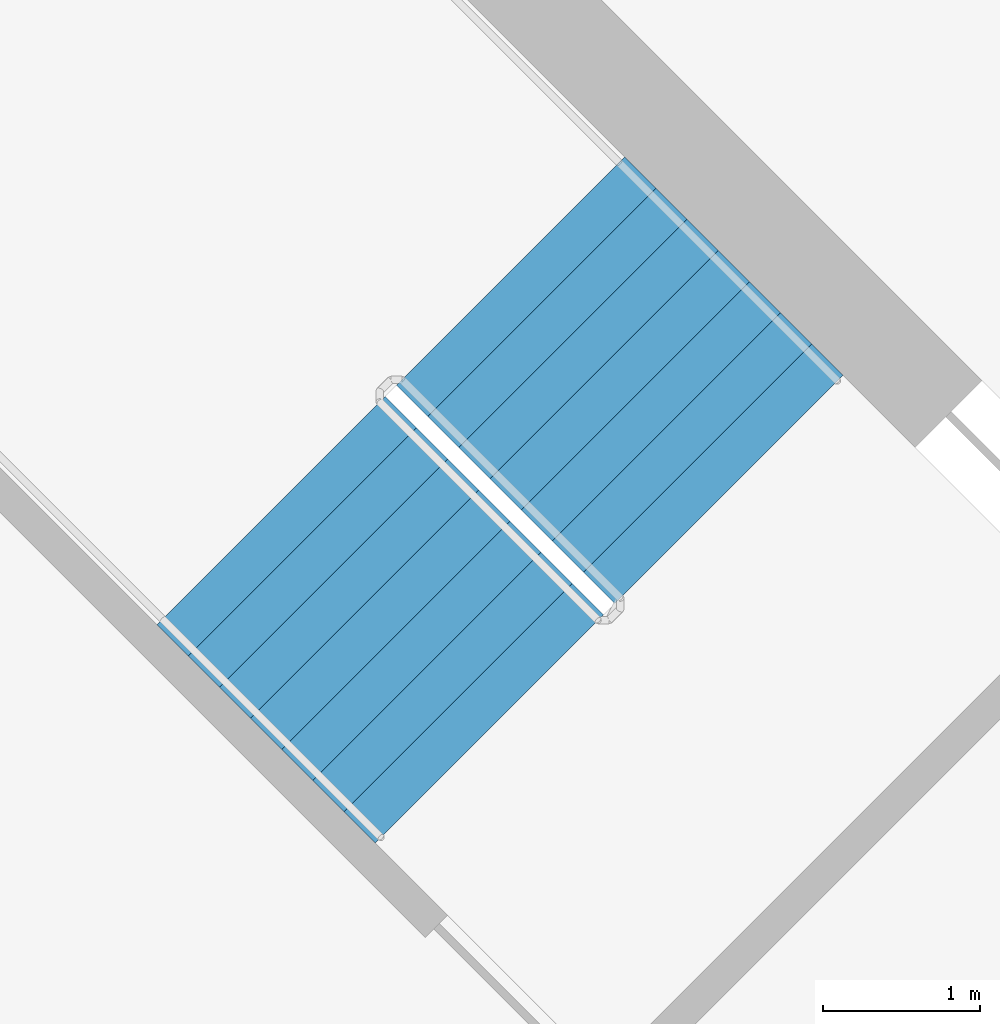
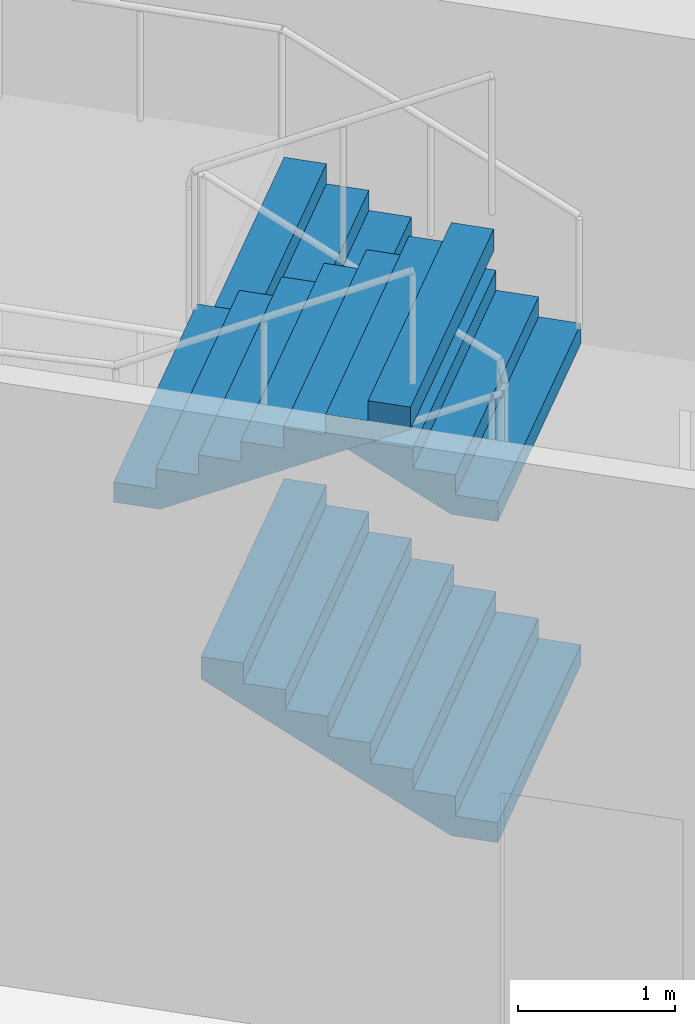
# One storey, part 18 of 21: 3 stair flights, 1 element without a shape of its own.
"""IFC4 building model written with IfcOpenShell, lengths in metres."""

from ifc_helpers import new_model, si_unit, direction, frame, origin, place, context, subcontext, project, spatial, triangles, material, type_object, element, aggregate, save


model = new_model("IFC4")

# Units and contexts
model_context = context("Model", 3, precision=1e-05, world=origin(), true_north=direction((0.0, 1.0)))
body_context = subcontext(model_context, "Body", "Model", "MODEL_VIEW")
ifc_project = project(units=[si_unit("LENGTHUNIT", "METRE"), si_unit("AREAUNIT", "SQUARE_METRE"), si_unit("VOLUMEUNIT", "CUBIC_METRE"), si_unit("PLANEANGLEUNIT", "RADIAN"), si_unit("MASSUNIT", "GRAM", prefix="KILO")], contexts=[model_context])

# Site, building, storey
site_placement = place(None, origin())
site = spatial("IfcSite", under=ifc_project, at=site_placement, CompositionType="ELEMENT")
building_placement = place(site_placement, origin())
building = spatial("IfcBuilding", under=site, at=building_placement, Name="Verdalira Terraces Hotel", CompositionType="ELEMENT")
storey_placement = place(building_placement, frame((0.0, 0.0, 175.0)))
storey = spatial("IfcBuildingStorey", under=building, at=storey_placement, Name="L42", CompositionType="ELEMENT", Elevation=175.0)

# Stair, stair flights
ifc_material_1 = material(Name="Concrete C40", Category="concrete")
stair_type = type_object("IfcStairType", Name="Core stair 32 risers 2050 mm wide", PredefinedType="HALF_TURN_STAIR", material=ifc_material_1)
stair_placement = place(storey_placement, origin())
stair = element("IfcStair", 1, at=stair_placement, inside=storey, type_object=stair_type, Name="L42 Exit stair ST1", PredefinedType="HALF_TURN_STAIR")
ifc_material_2 = material(Name="Concrete C40", Category="concrete")
stair_flight_type = type_object("IfcStairFlightType", Name="Core stair flight 32 risers 2050 mm wide", PredefinedType="STRAIGHT", material=ifc_material_2)
stair_flight_1_placement = place(storey_placement, frame((10.058594, 7.442383, 0.0), z_axis=(0.0, 0.0, 1.0), x_axis=(-0.707106781, 0.707106781, 0.0)))
stair_flight_1 = element("IfcStairFlight", 2, at=stair_flight_1_placement, type_object=stair_flight_type, Name="ST1 flight 1", NumberOfRisers=8, NumberOfTreads=7, PredefinedType="STRAIGHT", RiserHeight=0.15625, TreadLength=0.28, context=body_context, shape_type="Tessellation", body=[
    triangles([(0.0, 1.025024, 0.0), (0.307617, 1.025024, 0.0), (1.959961, 1.025024, 0.922119), (0.0, -1.025024, 0.0), (0.307617, -1.025024, 0.0), (1.959961, -1.025024, 0.922119), (1.959961, 1.025024, 1.09375), (1.679932, 1.025024, 1.09375), (1.959961, -1.025024, 1.09375), (1.679932, -1.025024, 1.09375), (1.679932, 1.025024, 0.9375), (1.679932, -1.025024, 0.9375), (1.399902, 1.025024, 0.9375), (1.399902, -1.025024, 0.9375), (1.399902, 1.025024, 0.78125), (1.399902, -1.025024, 0.78125), (1.120117, 1.025024, 0.78125), (1.120117, 1.025024, 0.625), (1.120117, -1.025024, 0.78125), (1.120117, -1.025024, 0.625), (0.840088, 1.025024, 0.625), (0.840088, 1.025024, 0.46875), (0.840088, -1.025024, 0.625), (0.840088, -1.025024, 0.46875), (0.560059, 1.025024, 0.46875), (0.560059, 1.025024, 0.3125), (0.560059, -1.025024, 0.46875), (0.560059, -1.025024, 0.3125), (0.280029, 1.025024, 0.3125), (0.280029, 1.025024, 0.15625), (0.280029, -1.025024, 0.3125), (0.280029, -1.025024, 0.15625), (0.0, 1.025024, 0.15625), (0.0, -1.025024, 0.15625), (0.0, -0.96096, 0.0), (0.0, -0.96096, 0.15625), (0.0, -0.896896, 0.0), (0.0, -0.896896, 0.15625), (0.0, -0.832832, 0.0), (0.0, -0.832832, 0.15625), (0.0, -0.768768, 0.0), (0.0, -0.768768, 0.15625), (0.0, -0.704704, 0.0), (0.0, -0.704704, 0.15625), (0.0, -0.64064, 0.0), (0.0, -0.64064, 0.15625), (0.0, -0.576576, 0.0), (0.0, -0.576576, 0.15625), (0.0, -0.512512, 0.0), (0.0, -0.512512, 0.15625), (0.0, -0.448448, 0.0), (0.0, -0.448448, 0.15625), (0.0, -0.384384, 0.0), (0.0, -0.384384, 0.15625), (0.0, -0.32032, 0.0), (0.0, -0.32032, 0.15625), (0.0, -0.256256, 0.0), (0.0, -0.256256, 0.15625), (0.0, -0.192192, 0.0), (0.0, -0.192192, 0.15625), (0.0, -0.128128, 0.0), (0.0, -0.128128, 0.15625), (0.0, -0.064064, 0.0), (0.0, -0.064064, 0.15625), (0.0, 0.0, 0.0), (0.0, 0.0, 0.15625), (0.0, 0.064064, 0.0), (0.0, 0.064064, 0.15625), (0.0, 0.128128, 0.0), (0.0, 0.128128, 0.15625), (0.0, 0.192192, 0.0), (0.0, 0.192192, 0.15625), (0.0, 0.256256, 0.0), (0.0, 0.256256, 0.15625), (0.0, 0.32032, 0.0), (0.0, 0.32032, 0.15625), (0.0, 0.384384, 0.0), (0.0, 0.384384, 0.15625), (0.0, 0.448448, 0.0), (0.0, 0.448448, 0.15625), (0.0, 0.512512, 0.0), (0.0, 0.512512, 0.15625), (0.0, 0.576576, 0.0), (0.0, 0.576576, 0.15625), (0.0, 0.64064, 0.0), (0.0, 0.64064, 0.15625), (0.0, 0.704704, 0.0), (0.0, 0.704704, 0.15625), (0.0, 0.768768, 0.0), (0.0, 0.768768, 0.15625), (0.0, 0.832832, 0.0), (0.0, 0.832832, 0.15625), (0.0, 0.896896, 0.0), (0.0, 0.896896, 0.15625), (0.0, 0.96096, 0.0), (0.0, 0.96096, 0.15625), (1.959961, -0.96096, 1.09375), (1.959961, -0.896896, 1.09375), (1.959961, -0.832832, 1.09375), (1.959961, -0.768768, 1.09375), (1.959961, -0.704704, 1.09375), (1.959961, -0.64064, 1.09375), (1.959961, -0.576576, 1.09375), (1.959961, -0.512512, 1.09375), (1.959961, -0.448448, 1.09375), (1.959961, -0.384384, 1.09375), (1.959961, -0.32032, 1.09375), (1.959961, -0.256256, 1.09375), (1.959961, -0.192192, 1.09375), (1.959961, -0.128128, 1.09375), (1.959961, -0.064064, 1.09375), (1.959961, 0.0, 1.09375), (1.959961, 0.064064, 1.09375), (1.959961, 0.128128, 1.09375), (1.959961, 0.192192, 1.09375), (1.959961, 0.256256, 1.09375), (1.959961, 0.32032, 1.09375), (1.959961, 0.384384, 1.09375), (1.959961, 0.448448, 1.09375), (1.959961, 0.512512, 1.09375), (1.959961, 0.576576, 1.09375), (1.959961, 0.64064, 1.09375), (1.959961, 0.704704, 1.09375), (1.959961, 0.768768, 1.09375), (1.959961, 0.832832, 1.09375), (1.959961, 0.896896, 1.09375), (1.959961, 0.96096, 1.09375), (1.959961, -0.96096, 0.922119), (1.959961, -0.896896, 0.922119), (1.959961, -0.832832, 0.922119), (1.959961, -0.768768, 0.922119), (1.959961, -0.704704, 0.922119), (1.959961, -0.64064, 0.922119), (1.959961, -0.576576, 0.922119), (1.959961, -0.512512, 0.922119), (1.959961, -0.448448, 0.922119), (1.959961, -0.384384, 0.922119), (1.959961, -0.32032, 0.922119), (1.959961, -0.256256, 0.922119), (1.959961, -0.192192, 0.922119), (1.959961, -0.128128, 0.922119), (1.959961, -0.064064, 0.922119), (1.959961, 0.0, 0.922119), (1.959961, 0.064064, 0.922119), (1.959961, 0.128128, 0.922119), (1.959961, 0.192192, 0.922119), (1.959961, 0.256256, 0.922119), (1.959961, 0.32032, 0.922119), (1.959961, 0.384384, 0.922119), (1.959961, 0.448448, 0.922119), (1.959961, 0.512512, 0.922119), (1.959961, 0.576576, 0.922119), (1.959961, 0.64064, 0.922119), (1.959961, 0.704704, 0.922119), (1.959961, 0.768768, 0.922119), (1.959961, 0.832832, 0.922119), (1.959961, 0.896896, 0.922119), (1.959961, 0.96096, 0.922119)], [[1, 3, 2], [4, 5, 6], [3, 8, 7], [6, 9, 10], [3, 11, 8], [6, 10, 12], [3, 13, 11], [6, 12, 14], [3, 15, 13], [6, 14, 16], [15, 18, 17], [16, 19, 20], [3, 18, 15], [6, 16, 20], [18, 22, 21], [20, 23, 24], [3, 22, 18], [6, 20, 24], [22, 26, 25], [24, 27, 28], [3, 26, 22], [6, 24, 28], [26, 30, 29], [28, 31, 32], [3, 30, 26], [6, 28, 32], [1, 30, 3], [4, 6, 32], [30, 1, 33], [32, 34, 4], [4, 36, 35], [4, 34, 36], [35, 38, 37], [35, 36, 38], [37, 40, 39], [37, 38, 40], [39, 42, 41], [39, 40, 42], [41, 44, 43], [41, 42, 44], [43, 46, 45], [43, 44, 46], [45, 48, 47], [45, 46, 48], [47, 50, 49], [47, 48, 50], [49, 52, 51], [49, 50, 52], [51, 54, 53], [51, 52, 54], [53, 56, 55], [53, 54, 56], [55, 58, 57], [55, 56, 58], [57, 60, 59], [57, 58, 60], [59, 62, 61], [59, 60, 62], [61, 64, 63], [61, 62, 64], [63, 66, 65], [63, 64, 66], [65, 68, 67], [65, 66, 68], [67, 70, 69], [67, 68, 70], [69, 72, 71], [69, 70, 72], [71, 74, 73], [71, 72, 74], [73, 76, 75], [73, 74, 76], [75, 78, 77], [75, 76, 78], [77, 80, 79], [77, 78, 80], [79, 82, 81], [79, 80, 82], [81, 84, 83], [81, 82, 84], [83, 86, 85], [83, 84, 86], [85, 88, 87], [85, 86, 88], [87, 90, 89], [87, 88, 90], [89, 92, 91], [89, 90, 92], [91, 94, 93], [91, 92, 94], [93, 96, 95], [93, 94, 96], [95, 33, 1], [95, 96, 33], [34, 32, 36], [36, 32, 38], [38, 32, 40], [40, 32, 42], [42, 32, 44], [44, 32, 46], [46, 32, 48], [48, 32, 50], [50, 32, 52], [52, 32, 54], [54, 32, 56], [56, 32, 58], [58, 32, 60], [60, 32, 62], [62, 32, 64], [64, 32, 66], [66, 32, 68], [68, 32, 70], [70, 32, 72], [72, 32, 74], [74, 32, 76], [76, 32, 78], [78, 32, 80], [80, 32, 82], [82, 32, 84], [84, 32, 86], [86, 32, 88], [88, 32, 90], [90, 32, 92], [92, 32, 94], [94, 32, 96], [96, 32, 33], [33, 32, 30], [32, 29, 30], [32, 31, 29], [31, 26, 29], [31, 28, 26], [28, 25, 26], [28, 27, 25], [27, 22, 25], [27, 24, 22], [24, 21, 22], [24, 23, 21], [23, 18, 21], [23, 20, 18], [20, 17, 18], [20, 19, 17], [19, 15, 17], [19, 16, 15], [16, 13, 15], [16, 14, 13], [14, 11, 13], [14, 12, 11], [12, 8, 11], [12, 10, 8], [9, 97, 10], [97, 98, 10], [98, 99, 10], [99, 100, 10], [100, 101, 10], [101, 102, 10], [102, 103, 10], [103, 104, 10], [104, 105, 10], [105, 106, 10], [106, 107, 10], [107, 108, 10], [108, 109, 10], [109, 110, 10], [110, 111, 10], [111, 112, 10], [112, 113, 10], [113, 114, 10], [114, 115, 10], [115, 116, 10], [116, 117, 10], [117, 118, 10], [118, 119, 10], [119, 120, 10], [120, 121, 10], [121, 122, 10], [122, 123, 10], [123, 124, 10], [124, 125, 10], [125, 126, 10], [126, 127, 10], [127, 7, 10], [7, 8, 10], [9, 128, 97], [9, 6, 128], [97, 129, 98], [97, 128, 129], [98, 130, 99], [98, 129, 130], [99, 131, 100], [99, 130, 131], [100, 132, 101], [100, 131, 132], [101, 133, 102], [101, 132, 133], [102, 134, 103], [102, 133, 134], [103, 135, 104], [103, 134, 135], [104, 136, 105], [104, 135, 136], [105, 137, 106], [105, 136, 137], [106, 138, 107], [106, 137, 138], [107, 139, 108], [107, 138, 139], [108, 140, 109], [108, 139, 140], [109, 141, 110], [109, 140, 141], [110, 142, 111], [110, 141, 142], [111, 143, 112], [111, 142, 143], [112, 144, 113], [112, 143, 144], [113, 145, 114], [113, 144, 145], [114, 146, 115], [114, 145, 146], [115, 147, 116], [115, 146, 147], [116, 148, 117], [116, 147, 148], [117, 149, 118], [117, 148, 149], [118, 150, 119], [118, 149, 150], [119, 151, 120], [119, 150, 151], [120, 152, 121], [120, 151, 152], [121, 153, 122], [121, 152, 153], [122, 154, 123], [122, 153, 154], [123, 155, 124], [123, 154, 155], [124, 156, 125], [124, 155, 156], [125, 157, 126], [125, 156, 157], [126, 158, 127], [126, 157, 158], [127, 3, 7], [127, 158, 3], [6, 5, 128], [128, 5, 129], [129, 5, 130], [130, 5, 131], [131, 5, 132], [132, 5, 133], [133, 5, 134], [134, 5, 135], [135, 5, 136], [136, 5, 137], [137, 5, 138], [138, 5, 139], [139, 5, 140], [140, 5, 141], [141, 5, 142], [142, 5, 143], [143, 5, 144], [144, 5, 145], [145, 5, 146], [146, 5, 147], [147, 5, 148], [148, 5, 149], [149, 5, 150], [150, 5, 151], [151, 5, 152], [152, 5, 153], [153, 5, 154], [154, 5, 155], [155, 5, 156], [156, 5, 157], [157, 5, 158], [158, 5, 3], [3, 5, 2], [4, 35, 5], [35, 37, 5], [37, 39, 5], [39, 41, 5], [41, 43, 5], [43, 45, 5], [45, 47, 5], [47, 49, 5], [49, 51, 5], [51, 53, 5], [53, 55, 5], [55, 57, 5], [57, 59, 5], [59, 61, 5], [61, 63, 5], [63, 65, 5], [65, 67, 5], [67, 69, 5], [69, 71, 5], [71, 73, 5], [73, 75, 5], [75, 77, 5], [77, 79, 5], [79, 81, 5], [81, 83, 5], [83, 85, 5], [85, 87, 5], [87, 89, 5], [89, 91, 5], [91, 93, 5], [93, 95, 5], [95, 1, 5], [1, 2, 5]], closed=True),
])
stair_flight_2_placement = place(storey_placement, frame((10.058594, 7.442383, 2.5), z_axis=(0.0, 0.0, 1.0), x_axis=(-0.707106781, 0.707106781, 0.0)))
stair_flight_2 = element("IfcStairFlight", 3, at=stair_flight_2_placement, type_object=stair_flight_type, Name="ST1 flight 3", NumberOfRisers=8, NumberOfTreads=7, PredefinedType="STRAIGHT", RiserHeight=0.15625, TreadLength=0.28, context=body_context, shape_type="Tessellation", body=[
    triangles([(0.0, 1.025024, 0.0), (0.307617, 1.025024, 0.0), (1.959961, 1.025024, 0.922119), (0.0, -1.025024, 0.0), (0.307617, -1.025024, 0.0), (1.959961, -1.025024, 0.922119), (1.959961, 1.025024, 1.09375), (1.679932, 1.025024, 1.09375), (1.959961, -1.025024, 1.09375), (1.679932, -1.025024, 1.09375), (1.679932, 1.025024, 0.9375), (1.679932, -1.025024, 0.9375), (1.399902, 1.025024, 0.9375), (1.399902, -1.025024, 0.9375), (1.399902, 1.025024, 0.78125), (1.399902, -1.025024, 0.78125), (1.120117, 1.025024, 0.78125), (1.120117, 1.025024, 0.625), (1.120117, -1.025024, 0.78125), (1.120117, -1.025024, 0.625), (0.840088, 1.025024, 0.625), (0.840088, 1.025024, 0.46875), (0.840088, -1.025024, 0.625), (0.840088, -1.025024, 0.46875), (0.560059, 1.025024, 0.46875), (0.560059, 1.025024, 0.3125), (0.560059, -1.025024, 0.46875), (0.560059, -1.025024, 0.3125), (0.280029, 1.025024, 0.3125), (0.280029, 1.025024, 0.15625), (0.280029, -1.025024, 0.3125), (0.280029, -1.025024, 0.15625), (0.0, 1.025024, 0.15625), (0.0, -1.025024, 0.15625), (0.0, -0.96096, 0.0), (0.0, -0.96096, 0.15625), (0.0, -0.896896, 0.0), (0.0, -0.896896, 0.15625), (0.0, -0.832832, 0.0), (0.0, -0.832832, 0.15625), (0.0, -0.768768, 0.0), (0.0, -0.768768, 0.15625), (0.0, -0.704704, 0.0), (0.0, -0.704704, 0.15625), (0.0, -0.64064, 0.0), (0.0, -0.64064, 0.15625), (0.0, -0.576576, 0.0), (0.0, -0.576576, 0.15625), (0.0, -0.512512, 0.0), (0.0, -0.512512, 0.15625), (0.0, -0.448448, 0.0), (0.0, -0.448448, 0.15625), (0.0, -0.384384, 0.0), (0.0, -0.384384, 0.15625), (0.0, -0.32032, 0.0), (0.0, -0.32032, 0.15625), (0.0, -0.256256, 0.0), (0.0, -0.256256, 0.15625), (0.0, -0.192192, 0.0), (0.0, -0.192192, 0.15625), (0.0, -0.128128, 0.0), (0.0, -0.128128, 0.15625), (0.0, -0.064064, 0.0), (0.0, -0.064064, 0.15625), (0.0, 0.0, 0.0), (0.0, 0.0, 0.15625), (0.0, 0.064064, 0.0), (0.0, 0.064064, 0.15625), (0.0, 0.128128, 0.0), (0.0, 0.128128, 0.15625), (0.0, 0.192192, 0.0), (0.0, 0.192192, 0.15625), (0.0, 0.256256, 0.0), (0.0, 0.256256, 0.15625), (0.0, 0.32032, 0.0), (0.0, 0.32032, 0.15625), (0.0, 0.384384, 0.0), (0.0, 0.384384, 0.15625), (0.0, 0.448448, 0.0), (0.0, 0.448448, 0.15625), (0.0, 0.512512, 0.0), (0.0, 0.512512, 0.15625), (0.0, 0.576576, 0.0), (0.0, 0.576576, 0.15625), (0.0, 0.64064, 0.0), (0.0, 0.64064, 0.15625), (0.0, 0.704704, 0.0), (0.0, 0.704704, 0.15625), (0.0, 0.768768, 0.0), (0.0, 0.768768, 0.15625), (0.0, 0.832832, 0.0), (0.0, 0.832832, 0.15625), (0.0, 0.896896, 0.0), (0.0, 0.896896, 0.15625), (0.0, 0.96096, 0.0), (0.0, 0.96096, 0.15625), (1.959961, -0.96096, 1.09375), (1.959961, -0.896896, 1.09375), (1.959961, -0.832832, 1.09375), (1.959961, -0.768768, 1.09375), (1.959961, -0.704704, 1.09375), (1.959961, -0.64064, 1.09375), (1.959961, -0.576576, 1.09375), (1.959961, -0.512512, 1.09375), (1.959961, -0.448448, 1.09375), (1.959961, -0.384384, 1.09375), (1.959961, -0.32032, 1.09375), (1.959961, -0.256256, 1.09375), (1.959961, -0.192192, 1.09375), (1.959961, -0.128128, 1.09375), (1.959961, -0.064064, 1.09375), (1.959961, 0.0, 1.09375), (1.959961, 0.064064, 1.09375), (1.959961, 0.128128, 1.09375), (1.959961, 0.192192, 1.09375), (1.959961, 0.256256, 1.09375), (1.959961, 0.32032, 1.09375), (1.959961, 0.384384, 1.09375), (1.959961, 0.448448, 1.09375), (1.959961, 0.512512, 1.09375), (1.959961, 0.576576, 1.09375), (1.959961, 0.64064, 1.09375), (1.959961, 0.704704, 1.09375), (1.959961, 0.768768, 1.09375), (1.959961, 0.832832, 1.09375), (1.959961, 0.896896, 1.09375), (1.959961, 0.96096, 1.09375), (1.959961, -0.96096, 0.922119), (1.959961, -0.896896, 0.922119), (1.959961, -0.832832, 0.922119), (1.959961, -0.768768, 0.922119), (1.959961, -0.704704, 0.922119), (1.959961, -0.64064, 0.922119), (1.959961, -0.576576, 0.922119), (1.959961, -0.512512, 0.922119), (1.959961, -0.448448, 0.922119), (1.959961, -0.384384, 0.922119), (1.959961, -0.32032, 0.922119), (1.959961, -0.256256, 0.922119), (1.959961, -0.192192, 0.922119), (1.959961, -0.128128, 0.922119), (1.959961, -0.064064, 0.922119), (1.959961, 0.0, 0.922119), (1.959961, 0.064064, 0.922119), (1.959961, 0.128128, 0.922119), (1.959961, 0.192192, 0.922119), (1.959961, 0.256256, 0.922119), (1.959961, 0.32032, 0.922119), (1.959961, 0.384384, 0.922119), (1.959961, 0.448448, 0.922119), (1.959961, 0.512512, 0.922119), (1.959961, 0.576576, 0.922119), (1.959961, 0.64064, 0.922119), (1.959961, 0.704704, 0.922119), (1.959961, 0.768768, 0.922119), (1.959961, 0.832832, 0.922119), (1.959961, 0.896896, 0.922119), (1.959961, 0.96096, 0.922119)], [[1, 3, 2], [4, 5, 6], [3, 8, 7], [6, 9, 10], [3, 11, 8], [6, 10, 12], [3, 13, 11], [6, 12, 14], [3, 15, 13], [6, 14, 16], [15, 18, 17], [16, 19, 20], [3, 18, 15], [6, 16, 20], [18, 22, 21], [20, 23, 24], [3, 22, 18], [6, 20, 24], [22, 26, 25], [24, 27, 28], [3, 26, 22], [6, 24, 28], [26, 30, 29], [28, 31, 32], [3, 30, 26], [6, 28, 32], [1, 30, 3], [4, 6, 32], [30, 1, 33], [32, 34, 4], [4, 36, 35], [4, 34, 36], [35, 38, 37], [35, 36, 38], [37, 40, 39], [37, 38, 40], [39, 42, 41], [39, 40, 42], [41, 44, 43], [41, 42, 44], [43, 46, 45], [43, 44, 46], [45, 48, 47], [45, 46, 48], [47, 50, 49], [47, 48, 50], [49, 52, 51], [49, 50, 52], [51, 54, 53], [51, 52, 54], [53, 56, 55], [53, 54, 56], [55, 58, 57], [55, 56, 58], [57, 60, 59], [57, 58, 60], [59, 62, 61], [59, 60, 62], [61, 64, 63], [61, 62, 64], [63, 66, 65], [63, 64, 66], [65, 68, 67], [65, 66, 68], [67, 70, 69], [67, 68, 70], [69, 72, 71], [69, 70, 72], [71, 74, 73], [71, 72, 74], [73, 76, 75], [73, 74, 76], [75, 78, 77], [75, 76, 78], [77, 80, 79], [77, 78, 80], [79, 82, 81], [79, 80, 82], [81, 84, 83], [81, 82, 84], [83, 86, 85], [83, 84, 86], [85, 88, 87], [85, 86, 88], [87, 90, 89], [87, 88, 90], [89, 92, 91], [89, 90, 92], [91, 94, 93], [91, 92, 94], [93, 96, 95], [93, 94, 96], [95, 33, 1], [95, 96, 33], [34, 32, 36], [36, 32, 38], [38, 32, 40], [40, 32, 42], [42, 32, 44], [44, 32, 46], [46, 32, 48], [48, 32, 50], [50, 32, 52], [52, 32, 54], [54, 32, 56], [56, 32, 58], [58, 32, 60], [60, 32, 62], [62, 32, 64], [64, 32, 66], [66, 32, 68], [68, 32, 70], [70, 32, 72], [72, 32, 74], [74, 32, 76], [76, 32, 78], [78, 32, 80], [80, 32, 82], [82, 32, 84], [84, 32, 86], [86, 32, 88], [88, 32, 90], [90, 32, 92], [92, 32, 94], [94, 32, 96], [96, 32, 33], [33, 32, 30], [32, 29, 30], [32, 31, 29], [31, 26, 29], [31, 28, 26], [28, 25, 26], [28, 27, 25], [27, 22, 25], [27, 24, 22], [24, 21, 22], [24, 23, 21], [23, 18, 21], [23, 20, 18], [20, 17, 18], [20, 19, 17], [19, 15, 17], [19, 16, 15], [16, 13, 15], [16, 14, 13], [14, 11, 13], [14, 12, 11], [12, 8, 11], [12, 10, 8], [9, 97, 10], [97, 98, 10], [98, 99, 10], [99, 100, 10], [100, 101, 10], [101, 102, 10], [102, 103, 10], [103, 104, 10], [104, 105, 10], [105, 106, 10], [106, 107, 10], [107, 108, 10], [108, 109, 10], [109, 110, 10], [110, 111, 10], [111, 112, 10], [112, 113, 10], [113, 114, 10], [114, 115, 10], [115, 116, 10], [116, 117, 10], [117, 118, 10], [118, 119, 10], [119, 120, 10], [120, 121, 10], [121, 122, 10], [122, 123, 10], [123, 124, 10], [124, 125, 10], [125, 126, 10], [126, 127, 10], [127, 7, 10], [7, 8, 10], [9, 128, 97], [9, 6, 128], [97, 129, 98], [97, 128, 129], [98, 130, 99], [98, 129, 130], [99, 131, 100], [99, 130, 131], [100, 132, 101], [100, 131, 132], [101, 133, 102], [101, 132, 133], [102, 134, 103], [102, 133, 134], [103, 135, 104], [103, 134, 135], [104, 136, 105], [104, 135, 136], [105, 137, 106], [105, 136, 137], [106, 138, 107], [106, 137, 138], [107, 139, 108], [107, 138, 139], [108, 140, 109], [108, 139, 140], [109, 141, 110], [109, 140, 141], [110, 142, 111], [110, 141, 142], [111, 143, 112], [111, 142, 143], [112, 144, 113], [112, 143, 144], [113, 145, 114], [113, 144, 145], [114, 146, 115], [114, 145, 146], [115, 147, 116], [115, 146, 147], [116, 148, 117], [116, 147, 148], [117, 149, 118], [117, 148, 149], [118, 150, 119], [118, 149, 150], [119, 151, 120], [119, 150, 151], [120, 152, 121], [120, 151, 152], [121, 153, 122], [121, 152, 153], [122, 154, 123], [122, 153, 154], [123, 155, 124], [123, 154, 155], [124, 156, 125], [124, 155, 156], [125, 157, 126], [125, 156, 157], [126, 158, 127], [126, 157, 158], [127, 3, 7], [127, 158, 3], [6, 5, 128], [128, 5, 129], [129, 5, 130], [130, 5, 131], [131, 5, 132], [132, 5, 133], [133, 5, 134], [134, 5, 135], [135, 5, 136], [136, 5, 137], [137, 5, 138], [138, 5, 139], [139, 5, 140], [140, 5, 141], [141, 5, 142], [142, 5, 143], [143, 5, 144], [144, 5, 145], [145, 5, 146], [146, 5, 147], [147, 5, 148], [148, 5, 149], [149, 5, 150], [150, 5, 151], [151, 5, 152], [152, 5, 153], [153, 5, 154], [154, 5, 155], [155, 5, 156], [156, 5, 157], [157, 5, 158], [158, 5, 3], [3, 5, 2], [4, 35, 5], [35, 37, 5], [37, 39, 5], [39, 41, 5], [41, 43, 5], [43, 45, 5], [45, 47, 5], [47, 49, 5], [49, 51, 5], [51, 53, 5], [53, 55, 5], [55, 57, 5], [57, 59, 5], [59, 61, 5], [61, 63, 5], [63, 65, 5], [65, 67, 5], [67, 69, 5], [69, 71, 5], [71, 73, 5], [73, 75, 5], [75, 77, 5], [77, 79, 5], [79, 81, 5], [81, 83, 5], [83, 85, 5], [85, 87, 5], [87, 89, 5], [89, 91, 5], [91, 93, 5], [93, 95, 5], [95, 1, 5], [1, 2, 5]], closed=True),
])
stair_flight_3_placement = place(storey_placement, frame((7.152344, 7.307861, 3.75), z_axis=(0.0, 0.0, 1.0), x_axis=(0.707106781, -0.707106781, 0.0)))
stair_flight_3 = element("IfcStairFlight", 4, at=stair_flight_3_placement, type_object=stair_flight_type, Name="ST1 flight 4", NumberOfRisers=8, NumberOfTreads=7, PredefinedType="STRAIGHT", RiserHeight=0.15625, TreadLength=0.28, context=body_context, shape_type="Tessellation", body=[
    triangles([(0.0, 1.025024, 0.0), (0.307617, 1.025024, 0.0), (1.959961, 1.025024, 0.922119), (0.0, -1.025024, 0.0), (0.307617, -1.025024, 0.0), (1.959961, -1.025024, 0.922119), (1.959961, 1.025024, 1.09375), (1.679932, 1.025024, 1.09375), (1.959961, -1.025024, 1.09375), (1.679932, -1.025024, 1.09375), (1.679932, 1.025024, 0.9375), (1.679932, -1.025024, 0.9375), (1.399902, 1.025024, 0.9375), (1.399902, -1.025024, 0.9375), (1.399902, 1.025024, 0.78125), (1.399902, -1.025024, 0.78125), (1.120117, 1.025024, 0.78125), (1.120117, 1.025024, 0.625), (1.120117, -1.025024, 0.78125), (1.120117, -1.025024, 0.625), (0.840088, 1.025024, 0.625), (0.840088, 1.025024, 0.46875), (0.840088, -1.025024, 0.625), (0.840088, -1.025024, 0.46875), (0.560059, 1.025024, 0.46875), (0.560059, 1.025024, 0.3125), (0.560059, -1.025024, 0.46875), (0.560059, -1.025024, 0.3125), (0.280029, 1.025024, 0.3125), (0.280029, 1.025024, 0.15625), (0.280029, -1.025024, 0.3125), (0.280029, -1.025024, 0.15625), (0.0, 1.025024, 0.15625), (0.0, -1.025024, 0.15625), (0.0, -0.96096, 0.0), (0.0, -0.96096, 0.15625), (0.0, -0.896896, 0.0), (0.0, -0.896896, 0.15625), (0.0, -0.832832, 0.0), (0.0, -0.832832, 0.15625), (0.0, -0.768768, 0.0), (0.0, -0.768768, 0.15625), (0.0, -0.704704, 0.0), (0.0, -0.704704, 0.15625), (0.0, -0.64064, 0.0), (0.0, -0.64064, 0.15625), (0.0, -0.576576, 0.0), (0.0, -0.576576, 0.15625), (0.0, -0.512512, 0.0), (0.0, -0.512512, 0.15625), (0.0, -0.448448, 0.0), (0.0, -0.448448, 0.15625), (0.0, -0.384384, 0.0), (0.0, -0.384384, 0.15625), (0.0, -0.32032, 0.0), (0.0, -0.32032, 0.15625), (0.0, -0.256256, 0.0), (0.0, -0.256256, 0.15625), (0.0, -0.192192, 0.0), (0.0, -0.192192, 0.15625), (0.0, -0.128128, 0.0), (0.0, -0.128128, 0.15625), (0.0, -0.064064, 0.0), (0.0, -0.064064, 0.15625), (0.0, 0.0, 0.0), (0.0, 0.0, 0.15625), (0.0, 0.064064, 0.0), (0.0, 0.064064, 0.15625), (0.0, 0.128128, 0.0), (0.0, 0.128128, 0.15625), (0.0, 0.192192, 0.0), (0.0, 0.192192, 0.15625), (0.0, 0.256256, 0.0), (0.0, 0.256256, 0.15625), (0.0, 0.32032, 0.0), (0.0, 0.32032, 0.15625), (0.0, 0.384384, 0.0), (0.0, 0.384384, 0.15625), (0.0, 0.448448, 0.0), (0.0, 0.448448, 0.15625), (0.0, 0.512512, 0.0), (0.0, 0.512512, 0.15625), (0.0, 0.576576, 0.0), (0.0, 0.576576, 0.15625), (0.0, 0.64064, 0.0), (0.0, 0.64064, 0.15625), (0.0, 0.704704, 0.0), (0.0, 0.704704, 0.15625), (0.0, 0.768768, 0.0), (0.0, 0.768768, 0.15625), (0.0, 0.832832, 0.0), (0.0, 0.832832, 0.15625), (0.0, 0.896896, 0.0), (0.0, 0.896896, 0.15625), (0.0, 0.96096, 0.0), (0.0, 0.96096, 0.15625), (1.959961, -0.96096, 1.09375), (1.959961, -0.896896, 1.09375), (1.959961, -0.832832, 1.09375), (1.959961, -0.768768, 1.09375), (1.959961, -0.704704, 1.09375), (1.959961, -0.64064, 1.09375), (1.959961, -0.576576, 1.09375), (1.959961, -0.512512, 1.09375), (1.959961, -0.448448, 1.09375), (1.959961, -0.384384, 1.09375), (1.959961, -0.32032, 1.09375), (1.959961, -0.256256, 1.09375), (1.959961, -0.192192, 1.09375), (1.959961, -0.128128, 1.09375), (1.959961, -0.064064, 1.09375), (1.959961, 0.0, 1.09375), (1.959961, 0.064064, 1.09375), (1.959961, 0.128128, 1.09375), (1.959961, 0.192192, 1.09375), (1.959961, 0.256256, 1.09375), (1.959961, 0.32032, 1.09375), (1.959961, 0.384384, 1.09375), (1.959961, 0.448448, 1.09375), (1.959961, 0.512512, 1.09375), (1.959961, 0.576576, 1.09375), (1.959961, 0.64064, 1.09375), (1.959961, 0.704704, 1.09375), (1.959961, 0.768768, 1.09375), (1.959961, 0.832832, 1.09375), (1.959961, 0.896896, 1.09375), (1.959961, 0.96096, 1.09375), (1.959961, -0.96096, 0.922119), (1.959961, -0.896896, 0.922119), (1.959961, -0.832832, 0.922119), (1.959961, -0.768768, 0.922119), (1.959961, -0.704704, 0.922119), (1.959961, -0.64064, 0.922119), (1.959961, -0.576576, 0.922119), (1.959961, -0.512512, 0.922119), (1.959961, -0.448448, 0.922119), (1.959961, -0.384384, 0.922119), (1.959961, -0.32032, 0.922119), (1.959961, -0.256256, 0.922119), (1.959961, -0.192192, 0.922119), (1.959961, -0.128128, 0.922119), (1.959961, -0.064064, 0.922119), (1.959961, 0.0, 0.922119), (1.959961, 0.064064, 0.922119), (1.959961, 0.128128, 0.922119), (1.959961, 0.192192, 0.922119), (1.959961, 0.256256, 0.922119), (1.959961, 0.32032, 0.922119), (1.959961, 0.384384, 0.922119), (1.959961, 0.448448, 0.922119), (1.959961, 0.512512, 0.922119), (1.959961, 0.576576, 0.922119), (1.959961, 0.64064, 0.922119), (1.959961, 0.704704, 0.922119), (1.959961, 0.768768, 0.922119), (1.959961, 0.832832, 0.922119), (1.959961, 0.896896, 0.922119), (1.959961, 0.96096, 0.922119)], [[1, 3, 2], [4, 5, 6], [3, 8, 7], [6, 9, 10], [3, 11, 8], [6, 10, 12], [3, 13, 11], [6, 12, 14], [3, 15, 13], [6, 14, 16], [15, 18, 17], [16, 19, 20], [3, 18, 15], [6, 16, 20], [18, 22, 21], [20, 23, 24], [3, 22, 18], [6, 20, 24], [22, 26, 25], [24, 27, 28], [3, 26, 22], [6, 24, 28], [26, 30, 29], [28, 31, 32], [3, 30, 26], [6, 28, 32], [1, 30, 3], [4, 6, 32], [30, 1, 33], [32, 34, 4], [4, 36, 35], [4, 34, 36], [35, 38, 37], [35, 36, 38], [37, 40, 39], [37, 38, 40], [39, 42, 41], [39, 40, 42], [41, 44, 43], [41, 42, 44], [43, 46, 45], [43, 44, 46], [45, 48, 47], [45, 46, 48], [47, 50, 49], [47, 48, 50], [49, 52, 51], [49, 50, 52], [51, 54, 53], [51, 52, 54], [53, 56, 55], [53, 54, 56], [55, 58, 57], [55, 56, 58], [57, 60, 59], [57, 58, 60], [59, 62, 61], [59, 60, 62], [61, 64, 63], [61, 62, 64], [63, 66, 65], [63, 64, 66], [65, 68, 67], [65, 66, 68], [67, 70, 69], [67, 68, 70], [69, 72, 71], [69, 70, 72], [71, 74, 73], [71, 72, 74], [73, 76, 75], [73, 74, 76], [75, 78, 77], [75, 76, 78], [77, 80, 79], [77, 78, 80], [79, 82, 81], [79, 80, 82], [81, 84, 83], [81, 82, 84], [83, 86, 85], [83, 84, 86], [85, 88, 87], [85, 86, 88], [87, 90, 89], [87, 88, 90], [89, 92, 91], [89, 90, 92], [91, 94, 93], [91, 92, 94], [93, 96, 95], [93, 94, 96], [95, 33, 1], [95, 96, 33], [34, 32, 36], [36, 32, 38], [38, 32, 40], [40, 32, 42], [42, 32, 44], [44, 32, 46], [46, 32, 48], [48, 32, 50], [50, 32, 52], [52, 32, 54], [54, 32, 56], [56, 32, 58], [58, 32, 60], [60, 32, 62], [62, 32, 64], [64, 32, 66], [66, 32, 68], [68, 32, 70], [70, 32, 72], [72, 32, 74], [74, 32, 76], [76, 32, 78], [78, 32, 80], [80, 32, 82], [82, 32, 84], [84, 32, 86], [86, 32, 88], [88, 32, 90], [90, 32, 92], [92, 32, 94], [94, 32, 96], [96, 32, 33], [33, 32, 30], [32, 29, 30], [32, 31, 29], [31, 26, 29], [31, 28, 26], [28, 25, 26], [28, 27, 25], [27, 22, 25], [27, 24, 22], [24, 21, 22], [24, 23, 21], [23, 18, 21], [23, 20, 18], [20, 17, 18], [20, 19, 17], [19, 15, 17], [19, 16, 15], [16, 13, 15], [16, 14, 13], [14, 11, 13], [14, 12, 11], [12, 8, 11], [12, 10, 8], [9, 97, 10], [97, 98, 10], [98, 99, 10], [99, 100, 10], [100, 101, 10], [101, 102, 10], [102, 103, 10], [103, 104, 10], [104, 105, 10], [105, 106, 10], [106, 107, 10], [107, 108, 10], [108, 109, 10], [109, 110, 10], [110, 111, 10], [111, 112, 10], [112, 113, 10], [113, 114, 10], [114, 115, 10], [115, 116, 10], [116, 117, 10], [117, 118, 10], [118, 119, 10], [119, 120, 10], [120, 121, 10], [121, 122, 10], [122, 123, 10], [123, 124, 10], [124, 125, 10], [125, 126, 10], [126, 127, 10], [127, 7, 10], [7, 8, 10], [9, 128, 97], [9, 6, 128], [97, 129, 98], [97, 128, 129], [98, 130, 99], [98, 129, 130], [99, 131, 100], [99, 130, 131], [100, 132, 101], [100, 131, 132], [101, 133, 102], [101, 132, 133], [102, 134, 103], [102, 133, 134], [103, 135, 104], [103, 134, 135], [104, 136, 105], [104, 135, 136], [105, 137, 106], [105, 136, 137], [106, 138, 107], [106, 137, 138], [107, 139, 108], [107, 138, 139], [108, 140, 109], [108, 139, 140], [109, 141, 110], [109, 140, 141], [110, 142, 111], [110, 141, 142], [111, 143, 112], [111, 142, 143], [112, 144, 113], [112, 143, 144], [113, 145, 114], [113, 144, 145], [114, 146, 115], [114, 145, 146], [115, 147, 116], [115, 146, 147], [116, 148, 117], [116, 147, 148], [117, 149, 118], [117, 148, 149], [118, 150, 119], [118, 149, 150], [119, 151, 120], [119, 150, 151], [120, 152, 121], [120, 151, 152], [121, 153, 122], [121, 152, 153], [122, 154, 123], [122, 153, 154], [123, 155, 124], [123, 154, 155], [124, 156, 125], [124, 155, 156], [125, 157, 126], [125, 156, 157], [126, 158, 127], [126, 157, 158], [127, 3, 7], [127, 158, 3], [6, 5, 128], [128, 5, 129], [129, 5, 130], [130, 5, 131], [131, 5, 132], [132, 5, 133], [133, 5, 134], [134, 5, 135], [135, 5, 136], [136, 5, 137], [137, 5, 138], [138, 5, 139], [139, 5, 140], [140, 5, 141], [141, 5, 142], [142, 5, 143], [143, 5, 144], [144, 5, 145], [145, 5, 146], [146, 5, 147], [147, 5, 148], [148, 5, 149], [149, 5, 150], [150, 5, 151], [151, 5, 152], [152, 5, 153], [153, 5, 154], [154, 5, 155], [155, 5, 156], [156, 5, 157], [157, 5, 158], [158, 5, 3], [3, 5, 2], [4, 35, 5], [35, 37, 5], [37, 39, 5], [39, 41, 5], [41, 43, 5], [43, 45, 5], [45, 47, 5], [47, 49, 5], [49, 51, 5], [51, 53, 5], [53, 55, 5], [55, 57, 5], [57, 59, 5], [59, 61, 5], [61, 63, 5], [63, 65, 5], [65, 67, 5], [67, 69, 5], [69, 71, 5], [71, 73, 5], [73, 75, 5], [75, 77, 5], [77, 79, 5], [79, 81, 5], [81, 83, 5], [83, 85, 5], [85, 87, 5], [87, 89, 5], [89, 91, 5], [91, 93, 5], [93, 95, 5], [95, 1, 5], [1, 2, 5]], closed=True),
])
aggregate(stair, [stair_flight_1, stair_flight_2, stair_flight_3])

save(model, "model.ifc")
